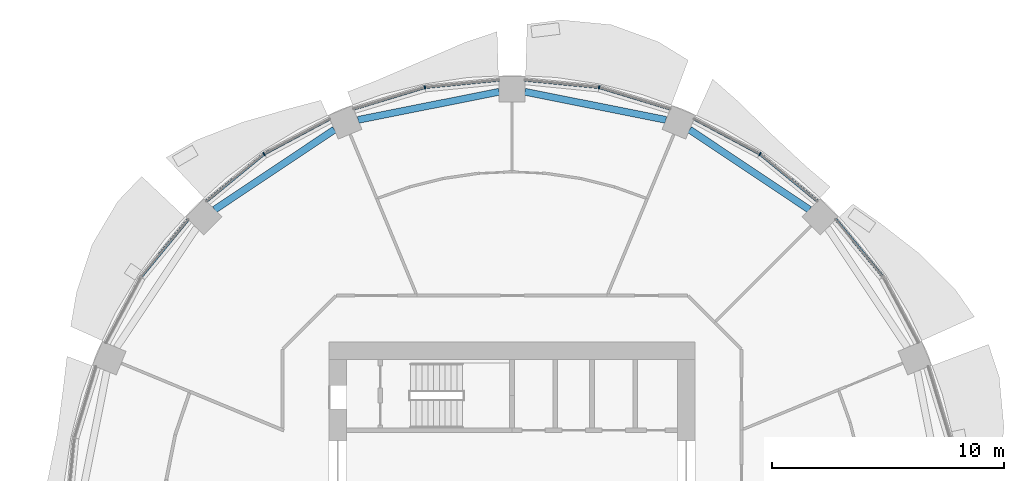
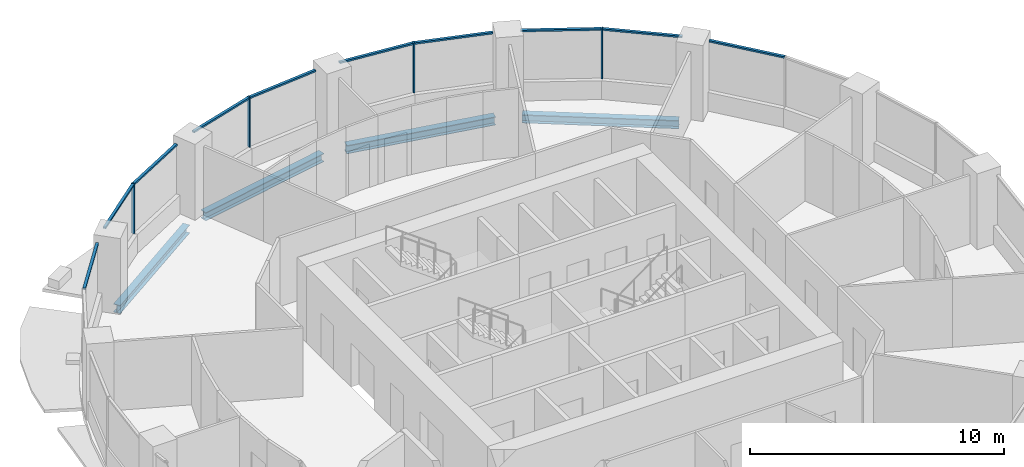
# One storey, part 6 of 15: 14 members, 4 beams, 6 elements without a shape of their own.
"""IFC4 building model written with IfcOpenShell, lengths in metres."""

from ifc_helpers import new_model, si_unit, direction, frame, origin, origin_2d, place, context, subcontext, project, spatial, rectangle, i_section, extrude, material, material_profile, profile_set, type_object, element, aggregate, save


model = new_model("IFC4")

# Units and contexts
model_context = context("Model", 3, precision=1e-05, world=origin(), true_north=direction((0.0, 1.0)))
body_context = subcontext(model_context, "Body", "Model", "MODEL_VIEW")
ifc_project = project(units=[si_unit("LENGTHUNIT", "METRE"), si_unit("AREAUNIT", "SQUARE_METRE"), si_unit("VOLUMEUNIT", "CUBIC_METRE"), si_unit("PLANEANGLEUNIT", "RADIAN"), si_unit("MASSUNIT", "GRAM", prefix="KILO")], contexts=[model_context])

# Site, building, storey
site_placement = place(None, origin())
site = spatial("IfcSite", under=ifc_project, at=site_placement, CompositionType="ELEMENT")
building_placement = place(site_placement, origin())
building = spatial("IfcBuilding", under=site, at=building_placement, Name="Polderwave Tower", CompositionType="ELEMENT")
storey_placement = place(building_placement, frame((0.0, 0.0, 87.35009765625)))
storey = spatial("IfcBuildingStorey", under=building, at=storey_placement, Name="L22", CompositionType="ELEMENT", Elevation=87.35009765625)

# Curtain wall, member
ifc_material_1 = material(Name="Aluminium 6063-T6 and glass", Category="aluminium")
curtain_wall_type = type_object("IfcCurtainWallType", Name="Growing floor ribbon glazing wall", PredefinedType="NOTDEFINED", material=ifc_material_1)
curtain_wall_1_placement = place(storey_placement, origin())
curtain_wall_1 = element("IfcCurtainWall", 1, at=curtain_wall_1_placement, inside=storey, type_object=curtain_wall_type, Name="CW2 L22 02", PredefinedType="NOTDEFINED")
ifc_material_2 = material(Name="Aluminium 6063-T6", Category="aluminium")
ifc_material_profile_1 = material_profile(ifc_material_2, rectangle(XDim=0.14990234375, YDim=0.06005859375, at=origin_2d()), Name="AL 60x150")
ifc_profile_set_1 = profile_set([ifc_material_profile_1], Name="Aluminium 6063-T6")
member_type_1 = type_object("IfcMemberType", Name="Growing floor ribbon glazing mullion 60x150", PredefinedType="MULLION", material=ifc_profile_set_1)
member_1_placement = place(storey_placement, frame((10.6669921875, 15.964111328125, 0.89990234375), z_axis=(0.0, 0.0, 1.0), x_axis=(-0.555607963342, -0.831444400469, 0.0)))
member_1 = element("IfcMember", 2, at=member_1_placement, type_object=member_type_1, Name="CW2 mullion 1", PredefinedType="MULLION", context=body_context, shape_type="SweptSolid", body=[
    extrude(rectangle(XDim=0.14990234375, YDim=0.06005859375, at=origin_2d()), origin(), (0.0, 0.0, 1.0), 2.39990234375),
])

curtain_wall_2_placement = place(storey_placement, origin())
curtain_wall_2 = element("IfcCurtainWall", 3, at=curtain_wall_2_placement, inside=storey, type_object=curtain_wall_type, Name="CW2 L22 03", PredefinedType="NOTDEFINED")
member_2_placement = place(storey_placement, frame((3.74609375, 18.8310546875, 0.89990234375), z_axis=(0.0, 0.0, 1.0), x_axis=(-0.195097169184, -0.980783918392, 0.0)))
member_2 = element("IfcMember", 4, at=member_2_placement, type_object=member_type_1, Name="CW2 mullion 1", PredefinedType="MULLION", context=body_context, shape_type="SweptSolid", body=[
    extrude(rectangle(XDim=0.14990234375, YDim=0.06005859375, at=origin_2d()), origin(), (0.0, 0.0, 1.0), 2.39990234375),
])

curtain_wall_3_placement = place(storey_placement, origin())
curtain_wall_3 = element("IfcCurtainWall", 5, at=curtain_wall_3_placement, inside=storey, type_object=curtain_wall_type, Name="CW2 L22 04", PredefinedType="NOTDEFINED")
member_3_placement = place(storey_placement, frame((-3.74609375, 18.8310546875, 0.89990234375), z_axis=(0.0, 0.0, 1.0), x_axis=(0.195097169184, -0.980783918392, 0.0)))
member_3 = element("IfcMember", 6, at=member_3_placement, type_object=member_type_1, Name="CW2 mullion 1", PredefinedType="MULLION", context=body_context, shape_type="SweptSolid", body=[
    extrude(rectangle(XDim=0.14990234375, YDim=0.06005859375, at=origin_2d()), origin(), (0.0, 0.0, 1.0), 2.39990234375),
])

curtain_wall_4_placement = place(storey_placement, origin())
curtain_wall_4 = element("IfcCurtainWall", 7, at=curtain_wall_4_placement, inside=storey, type_object=curtain_wall_type, Name="CW2 L22 05", PredefinedType="NOTDEFINED")
member_4_placement = place(storey_placement, frame((-10.6669921875, 15.964111328125, 0.89990234375), z_axis=(0.0, 0.0, 1.0), x_axis=(0.555607963342, -0.831444400469, 0.0)))
member_4 = element("IfcMember", 8, at=member_4_placement, type_object=member_type_1, Name="CW2 mullion 1", PredefinedType="MULLION", context=body_context, shape_type="SweptSolid", body=[
    extrude(rectangle(XDim=0.14990234375, YDim=0.06005859375, at=origin_2d()), origin(), (0.0, 0.0, 1.0), 2.39990234375),
])

curtain_wall_5_placement = place(storey_placement, origin())
curtain_wall_5 = element("IfcCurtainWall", 9, at=curtain_wall_5_placement, inside=storey, type_object=curtain_wall_type, Name="CW2 L22 01", PredefinedType="NOTDEFINED")
ifc_material_profile_2 = material_profile(ifc_material_2, rectangle(XDim=0.1201171875, YDim=0.080078125, at=origin_2d()), Name="AL 80x120")
ifc_profile_set_2 = profile_set([ifc_material_profile_2], Name="Aluminium 6063-T6")
member_type_2 = type_object("IfcMemberType", Name="Growing floor ribbon glazing transom 80x120", PredefinedType="USERDEFINED", material=ifc_profile_set_2)
member_5_placement = place(storey_placement, frame((15.945068359375, 10.690185546875, 3.260009765625), z_axis=(-0.634436573251, 0.772974924898, 0.0), x_axis=(-0.772974924898, -0.634436573251, 0.0)))
member_5 = element("IfcMember", 10, at=member_5_placement, type_object=member_type_2, Name="CW2 transom 2", ObjectType="TRANSOM", PredefinedType="USERDEFINED", context=body_context, shape_type="SweptSolid", body=[
    extrude(rectangle(XDim=0.1201171875, YDim=0.080078125, at=origin_2d()), origin(), (0.0, 0.0, 1.0), 3.180908203125),
])
aggregate(curtain_wall_5, [member_5])

# Member
member_6_placement = place(storey_placement, frame((13.14892578125, 13.927001953125, 3.260009765625), z_axis=(-0.772974924898, 0.634436573251, 0.0), x_axis=(-0.634436573251, -0.772974924898, 0.0)))
member_6 = element("IfcMember", 11, at=member_6_placement, type_object=member_type_2, Name="CW2 transom 1", ObjectType="TRANSOM", PredefinedType="USERDEFINED", context=body_context, shape_type="SweptSolid", body=[
    extrude(rectangle(XDim=0.1201171875, YDim=0.080078125, at=origin_2d()), origin(), (0.0, 0.0, 1.0), 3.180908203125),
])

member_7_placement = place(storey_placement, frame((10.640380859375, 15.97802734375, 3.260009765625), z_axis=(-0.881859599323, 0.471512085827, 0.0), x_axis=(-0.471512085827, -0.881859599323, 0.0)))
member_7 = element("IfcMember", 12, at=member_7_placement, type_object=member_type_2, Name="CW2 transom 2", ObjectType="TRANSOM", PredefinedType="USERDEFINED", context=body_context, shape_type="SweptSolid", body=[
    extrude(rectangle(XDim=0.1201171875, YDim=0.080078125, at=origin_2d()), origin(), (0.0, 0.0, 1.0), 3.18115234375),
])

aggregate(curtain_wall_1, [member_1, member_6, member_7])

member_8_placement = place(storey_placement, frame((6.819091796875, 17.89892578125, 3.260009765625), z_axis=(-0.95695596309, 0.290233155766, 0.0), x_axis=(-0.290233155766, -0.95695596309, 0.0)))
member_8 = element("IfcMember", 13, at=member_8_placement, type_object=member_type_2, Name="CW2 transom 1", ObjectType="TRANSOM", PredefinedType="USERDEFINED", context=body_context, shape_type="SweptSolid", body=[
    extrude(rectangle(XDim=0.1201171875, YDim=0.080078125, at=origin_2d()), origin(), (0.0, 0.0, 1.0), 3.181396484375),
])

member_9_placement = place(storey_placement, frame((3.716064453125, 18.833984375, 3.260009765625), z_axis=(-0.995179009769, 0.098075167681, 0.0), x_axis=(-0.098075167681, -0.995179009769, 0.0)))
member_9 = element("IfcMember", 14, at=member_9_placement, type_object=member_type_2, Name="CW2 transom 2", ObjectType="TRANSOM", PredefinedType="USERDEFINED", context=body_context, shape_type="SweptSolid", body=[
    extrude(rectangle(XDim=0.1201171875, YDim=0.080078125, at=origin_2d()), origin(), (0.0, 0.0, 1.0), 3.181396484375),
])

aggregate(curtain_wall_2, [member_2, member_8, member_9])

member_10_placement = place(storey_placement, frame((-0.550048828125, 19.14599609375, 3.260009765625), z_axis=(-0.995179009769, -0.098075167681, 0.0), x_axis=(0.098075167681, -0.995179009769, 0.0)))
member_10 = element("IfcMember", 15, at=member_10_placement, type_object=member_type_2, Name="CW2 transom 1", ObjectType="TRANSOM", PredefinedType="USERDEFINED", context=body_context, shape_type="SweptSolid", body=[
    extrude(rectangle(XDim=0.1201171875, YDim=0.080078125, at=origin_2d()), origin(), (0.0, 0.0, 1.0), 3.181396484375),
])

member_11_placement = place(storey_placement, frame((-3.774658203125, 18.822265625, 3.260009765625), z_axis=(-0.95695596309, -0.290233155766, 0.0), x_axis=(0.290233155766, -0.95695596309, 0.0)))
member_11 = element("IfcMember", 16, at=member_11_placement, type_object=member_type_2, Name="CW2 transom 2", ObjectType="TRANSOM", PredefinedType="USERDEFINED", context=body_context, shape_type="SweptSolid", body=[
    extrude(rectangle(XDim=0.1201171875, YDim=0.080078125, at=origin_2d()), origin(), (0.0, 0.0, 1.0), 3.181396484375),
])

aggregate(curtain_wall_3, [member_3, member_10, member_11])

member_12_placement = place(storey_placement, frame((-7.8349609375, 17.47802734375, 3.260009765625), z_axis=(-0.881859599323, -0.471512085827, 0.0), x_axis=(0.471512085827, -0.881859599323, 0.0)))
member_12 = element("IfcMember", 17, at=member_12_placement, type_object=member_type_2, Name="CW2 transom 1", ObjectType="TRANSOM", PredefinedType="USERDEFINED", context=body_context, shape_type="SweptSolid", body=[
    extrude(rectangle(XDim=0.1201171875, YDim=0.080078125, at=origin_2d()), origin(), (0.0, 0.0, 1.0), 3.18115234375),
])

member_13_placement = place(storey_placement, frame((-10.690185546875, 15.945068359375, 3.260009765625), z_axis=(-0.772974924898, -0.634436573251, 0.0), x_axis=(0.634436573251, -0.772974924898, 0.0)))
member_13 = element("IfcMember", 18, at=member_13_placement, type_object=member_type_2, Name="CW2 transom 2", ObjectType="TRANSOM", PredefinedType="USERDEFINED", context=body_context, shape_type="SweptSolid", body=[
    extrude(rectangle(XDim=0.1201171875, YDim=0.080078125, at=origin_2d()), origin(), (0.0, 0.0, 1.0), 3.180908203125),
])

aggregate(curtain_wall_4, [member_4, member_12, member_13])

# Curtain wall, member
curtain_wall_6_placement = place(storey_placement, origin())
curtain_wall_6 = element("IfcCurtainWall", 19, at=curtain_wall_6_placement, inside=storey, type_object=curtain_wall_type, Name="CW2 L22 06", PredefinedType="NOTDEFINED")
member_14_placement = place(storey_placement, frame((-13.927001953125, 13.14892578125, 3.260009765625), z_axis=(-0.634436573251, -0.772974924898, 0.0), x_axis=(0.772974924898, -0.634436573251, 0.0)))
member_14 = element("IfcMember", 20, at=member_14_placement, type_object=member_type_2, Name="CW2 transom 1", ObjectType="TRANSOM", PredefinedType="USERDEFINED", context=body_context, shape_type="SweptSolid", body=[
    extrude(rectangle(XDim=0.1201171875, YDim=0.080078125, at=origin_2d()), origin(), (0.0, 0.0, 1.0), 3.180908203125),
])
aggregate(curtain_wall_6, [member_14])

# Beams
ifc_material_3 = material(Name="Steel S355", Category="steel")
ifc_material_profile_3 = material_profile(ifc_material_3, i_section(OverallWidth=0.300048828125, OverallDepth=0.39990234375, WebThickness=0.013427734375, FlangeThickness=0.02392578125, at=origin_2d()), Name="HE 400 B")
ifc_profile_set_3 = profile_set([ifc_material_profile_3], Name="Steel S355")
beam_type = type_object("IfcBeamType", Name="RING BEAM HE 400 B", PredefinedType="BEAM", material=ifc_profile_set_3)
for number, where, z_axis, x_axis, name in (
    (21, (12.7919921875, 13.56982421875, -0.550048828125), (-0.831467728736, 0.555573051966, 0.0), (-0.555573051966, -0.831467728736, 0.0), "ST-RB-L22-02"),
    (22, (6.625244140625, 17.43212890625, -0.550048828125), (-0.980783284471, 0.195100355977, 0.0), (-0.195100355977, -0.980783284471, 0.0), "ST-RB-L22-03"),
    (23, (-0.550048828125, 18.640625, -0.550048828125), (-0.980783284471, -0.195100355977, 0.0), (0.195100355977, -0.980783284471, 0.0), "ST-RB-L22-04"),
    (24, (-7.6416015625, 17.01123046875, -0.550048828125), (-0.831467728736, -0.555573051966, 0.0), (0.555573051966, -0.831467728736, 0.0), "ST-RB-L22-05"),
):
    element("IfcBeam", number, at=place(storey_placement, frame(where, z_axis=z_axis, x_axis=x_axis)), inside=storey, type_object=beam_type, Name=name, PredefinedType="BEAM", context=body_context, shape_type="SweptSolid", body=[
        extrude(i_section(OverallWidth=0.300048828125, OverallDepth=0.39990234375, WebThickness=0.013427734375, FlangeThickness=0.02392578125, at=origin_2d()), origin(), (0.0, 0.0, 1.0), 6.1943359375),
    ])

save(model, "model.ifc")
